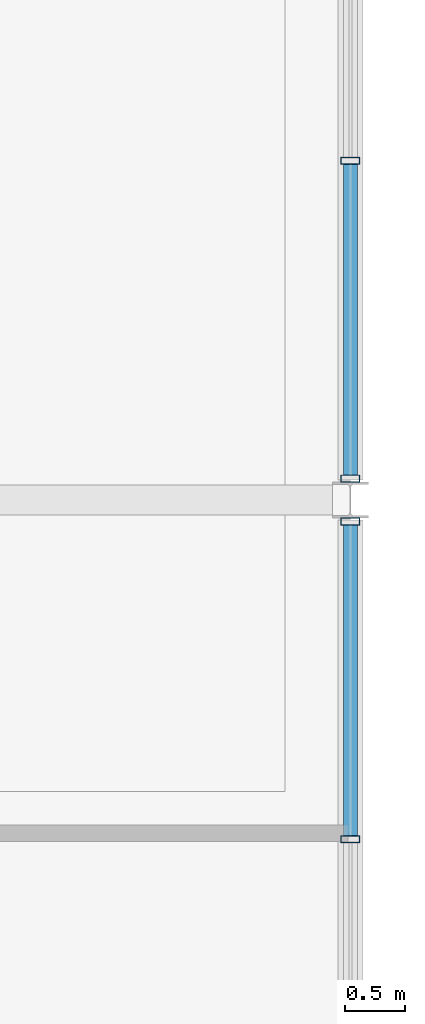
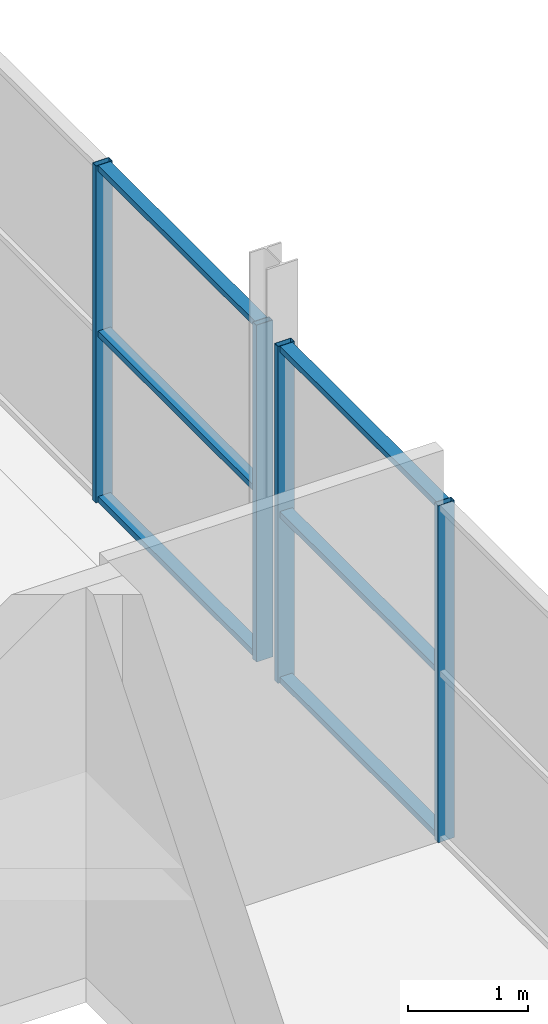
# One storey, part 49 of 68: 10 members, 2 elements without a shape of their own.
"""IFC4 building model written with IfcOpenShell, lengths in metres."""

from ifc_helpers import new_model, si_unit, direction, frame, origin, origin_2d, place, context, subcontext, project, spatial, hollow_rectangle, extrude, material, material_profile, profile_set, type_object, element, aggregate, save


model = new_model("IFC4")

# Units and contexts
model_context = context("Model", 3, precision=1e-05, world=origin(), true_north=direction((0.0, 1.0)))
body_context = subcontext(model_context, "Body", "Model", "MODEL_VIEW")
ifc_project = project(units=[si_unit("LENGTHUNIT", "METRE"), si_unit("AREAUNIT", "SQUARE_METRE"), si_unit("VOLUMEUNIT", "CUBIC_METRE"), si_unit("PLANEANGLEUNIT", "RADIAN"), si_unit("MASSUNIT", "GRAM", prefix="KILO"), si_unit("THERMODYNAMICTEMPERATUREUNIT", "KELVIN")], contexts=[model_context])

# Site, building, storey
site_placement = place(None, origin())
site = spatial("IfcSite", under=ifc_project, at=site_placement, CompositionType="ELEMENT")
building_placement = place(site_placement, origin())
building = spatial("IfcBuilding", under=site, at=building_placement, Name="Nduvali Passage Aquatics Centre", CompositionType="ELEMENT")
storey_placement = place(building_placement, frame((0.0, 0.0, 13.199951171875)))
storey = spatial("IfcBuildingStorey", under=building, at=storey_placement, Name="L03", CompositionType="ELEMENT", Elevation=13.199951171875)

# Curtain wall, members
ifc_material = material(Name="Aluminium EN AW-6063 T6", Category="aluminium")
curtain_wall_type = type_object("IfcCurtainWallType", Name="ENV-CW-PASS", PredefinedType="NOTDEFINED", material=ifc_material)
curtain_wall_1_placement = place(storey_placement, origin())
curtain_wall_1 = element("IfcCurtainWall", 1, at=curtain_wall_1_placement, inside=storey, type_object=curtain_wall_type, Name="L03 East Passage Teaching CW 123", PredefinedType="NOTDEFINED")
ifc_material_profile_1 = material_profile(ifc_material, hollow_rectangle(XDim=0.06005859375, YDim=0.159912109375, WallThickness=0.00390625, at=origin_2d()), Name="ALU MULLION 60x160x4")
ifc_profile_set_1 = profile_set([ifc_material_profile_1], Name="Aluminium EN AW-6063 T6")
member_type_1 = type_object("IfcMemberType", Name="ENV-MEM-MUL60", PredefinedType="MULLION", material=ifc_profile_set_1)
member_1_placement = place(storey_placement, frame((126.0, 106.35009765625, 0.0), z_axis=(0.0, 0.0, 1.0), x_axis=(0.0, 1.0, 0.0)))
member_1 = element("IfcMember", 2, at=member_1_placement, type_object=member_type_1, Name="East Passage Teaching CW Mullion 3", PredefinedType="MULLION", context=body_context, shape_type="SweptSolid", body=[
    extrude(hollow_rectangle(XDim=0.06005859375, YDim=0.159912109375, WallThickness=0.00390625, at=origin_2d()), origin(), (0.0, 0.0, 1.0), 3.4267578125),
])
member_2_placement = place(storey_placement, frame((126.0, 109.02001953125, 0.0), z_axis=(0.0, 0.0, 1.0), x_axis=(0.0, 1.0, 0.0)))
member_2 = element("IfcMember", 3, at=member_2_placement, type_object=member_type_1, Name="East Passage Teaching CW Mullion 4", PredefinedType="MULLION", context=body_context, shape_type="SweptSolid", body=[
    extrude(hollow_rectangle(XDim=0.06005859375, YDim=0.159912109375, WallThickness=0.00390625, at=origin_2d()), origin(), (0.0, 0.0, 1.0), 3.4267578125),
])

curtain_wall_2_placement = place(storey_placement, origin())
curtain_wall_2 = element("IfcCurtainWall", 4, at=curtain_wall_2_placement, inside=storey, type_object=curtain_wall_type, Name="L03 East Passage North Teaching CW 126", PredefinedType="NOTDEFINED")
member_3_placement = place(storey_placement, frame((126.0, 109.3798828125, 0.0), z_axis=(0.0, 0.0, 1.0), x_axis=(0.0, 1.0, 0.0)))
member_3 = element("IfcMember", 5, at=member_3_placement, type_object=member_type_1, Name="East Passage North Teaching CW Mullion 1", PredefinedType="MULLION", context=body_context, shape_type="SweptSolid", body=[
    extrude(hollow_rectangle(XDim=0.06005859375, YDim=0.159912109375, WallThickness=0.00390625, at=origin_2d()), origin(), (0.0, 0.0, 1.0), 3.4267578125),
])
member_4_placement = place(storey_placement, frame((126.0, 112.050048828125, 0.0), z_axis=(0.0, 0.0, 1.0), x_axis=(0.0, 1.0, 0.0)))
member_4 = element("IfcMember", 6, at=member_4_placement, type_object=member_type_1, Name="East Passage North Teaching CW Mullion 2", PredefinedType="MULLION", context=body_context, shape_type="SweptSolid", body=[
    extrude(hollow_rectangle(XDim=0.06005859375, YDim=0.159912109375, WallThickness=0.00390625, at=origin_2d()), origin(), (0.0, 0.0, 1.0), 3.4267578125),
])

# Member
ifc_material_profile_2 = material_profile(ifc_material, hollow_rectangle(XDim=0.1201171875, YDim=0.06005859375, WallThickness=0.00390625, at=origin_2d()), Name="ALU TRANSOM 120x60x4")
ifc_profile_set_2 = profile_set([ifc_material_profile_2], Name="Aluminium EN AW-6063 T6")
member_type_2 = type_object("IfcMemberType", Name="ENV-MEM-TRN60", PredefinedType="USERDEFINED", material=ifc_profile_set_2)
member_5_placement = place(storey_placement, frame((126.0, 106.3798828125, 0.030029296875), z_axis=(0.0, 1.0, 0.0), x_axis=(-1.0, 0.0, 0.0)))
member_5 = element("IfcMember", 7, at=member_5_placement, type_object=member_type_2, Name="East Passage Teaching CW Transom B3-R0", ObjectType="TRANSOM", PredefinedType="USERDEFINED", context=body_context, shape_type="SweptSolid", body=[
    extrude(hollow_rectangle(XDim=0.1201171875, YDim=0.06005859375, WallThickness=0.00390625, at=origin_2d()), origin(), (0.0, 0.0, 1.0), 2.610107421875),
])

member_6_placement = place(storey_placement, frame((126.0, 106.3798828125, 1.71337890625), z_axis=(0.0, 1.0, 0.0), x_axis=(-1.0, 0.0, 0.0)))
member_6 = element("IfcMember", 8, at=member_6_placement, type_object=member_type_2, Name="East Passage Teaching CW Transom B3-R1", ObjectType="TRANSOM", PredefinedType="USERDEFINED", context=body_context, shape_type="SweptSolid", body=[
    extrude(hollow_rectangle(XDim=0.1201171875, YDim=0.06005859375, WallThickness=0.00390625, at=origin_2d()), origin(), (0.0, 0.0, 1.0), 2.610107421875),
])

member_7_placement = place(storey_placement, frame((126.0, 106.3798828125, 3.396728515625), z_axis=(0.0, 1.0, 0.0), x_axis=(-1.0, 0.0, 0.0)))
member_7 = element("IfcMember", 9, at=member_7_placement, type_object=member_type_2, Name="East Passage Teaching CW Transom B3-R2", ObjectType="TRANSOM", PredefinedType="USERDEFINED", context=body_context, shape_type="SweptSolid", body=[
    extrude(hollow_rectangle(XDim=0.1201171875, YDim=0.06005859375, WallThickness=0.00390625, at=origin_2d()), origin(), (0.0, 0.0, 1.0), 2.610107421875),
])

aggregate(curtain_wall_1, [member_1, member_2, member_5, member_6, member_7])

member_8_placement = place(storey_placement, frame((126.0, 109.409912109375, 0.030029296875), z_axis=(0.0, 1.0, 0.0), x_axis=(-1.0, 0.0, 0.0)))
member_8 = element("IfcMember", 10, at=member_8_placement, type_object=member_type_2, Name="East Passage North Teaching CW Transom B1-R0", ObjectType="TRANSOM", PredefinedType="USERDEFINED", context=body_context, shape_type="SweptSolid", body=[
    extrude(hollow_rectangle(XDim=0.1201171875, YDim=0.06005859375, WallThickness=0.00390625, at=origin_2d()), origin(), (0.0, 0.0, 1.0), 2.610107421875),
])

member_9_placement = place(storey_placement, frame((126.0, 109.409912109375, 1.71337890625), z_axis=(0.0, 1.0, 0.0), x_axis=(-1.0, 0.0, 0.0)))
member_9 = element("IfcMember", 11, at=member_9_placement, type_object=member_type_2, Name="East Passage North Teaching CW Transom B1-R1", ObjectType="TRANSOM", PredefinedType="USERDEFINED", context=body_context, shape_type="SweptSolid", body=[
    extrude(hollow_rectangle(XDim=0.1201171875, YDim=0.06005859375, WallThickness=0.00390625, at=origin_2d()), origin(), (0.0, 0.0, 1.0), 2.610107421875),
])

member_10_placement = place(storey_placement, frame((126.0, 109.409912109375, 3.396728515625), z_axis=(0.0, 1.0, 0.0), x_axis=(-1.0, 0.0, 0.0)))
member_10 = element("IfcMember", 12, at=member_10_placement, type_object=member_type_2, Name="East Passage North Teaching CW Transom B1-R2", ObjectType="TRANSOM", PredefinedType="USERDEFINED", context=body_context, shape_type="SweptSolid", body=[
    extrude(hollow_rectangle(XDim=0.1201171875, YDim=0.06005859375, WallThickness=0.00390625, at=origin_2d()), origin(), (0.0, 0.0, 1.0), 2.610107421875),
])

aggregate(curtain_wall_2, [member_3, member_4, member_8, member_9, member_10])

save(model, "model.ifc")
